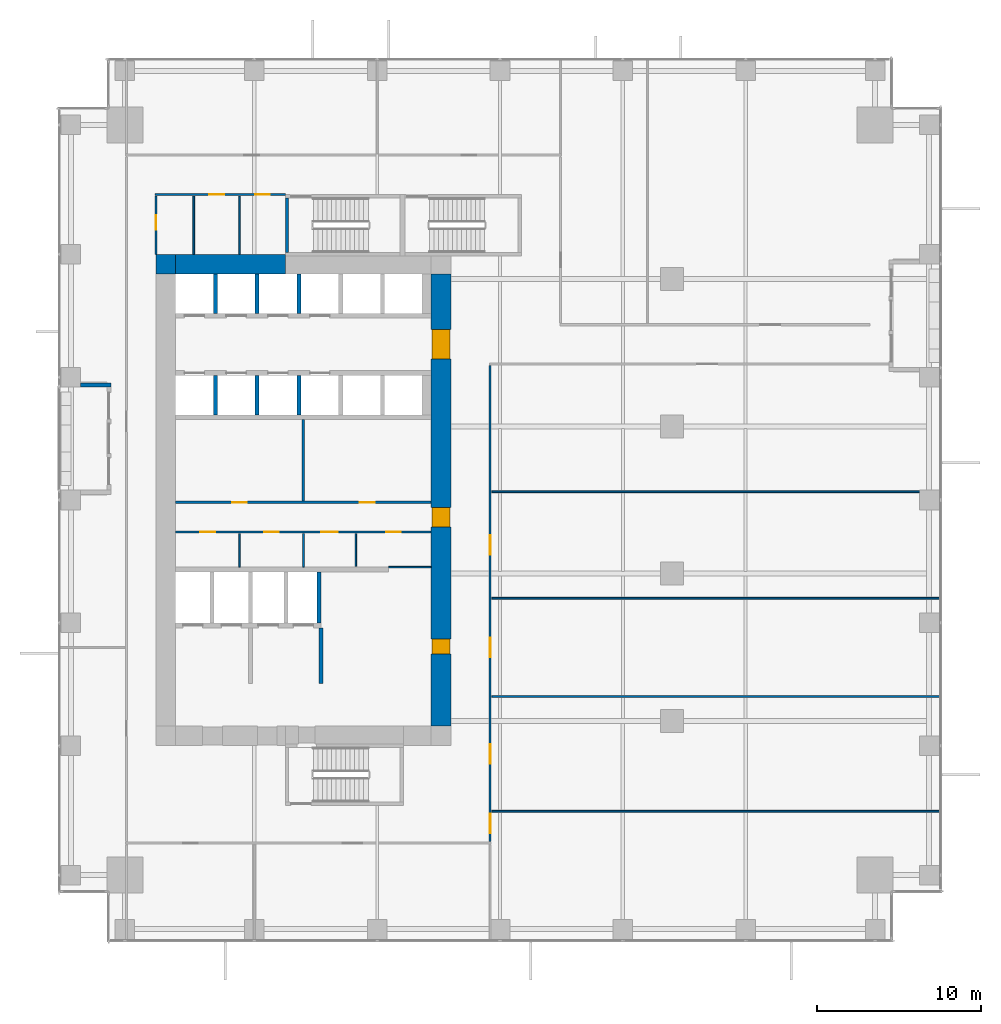
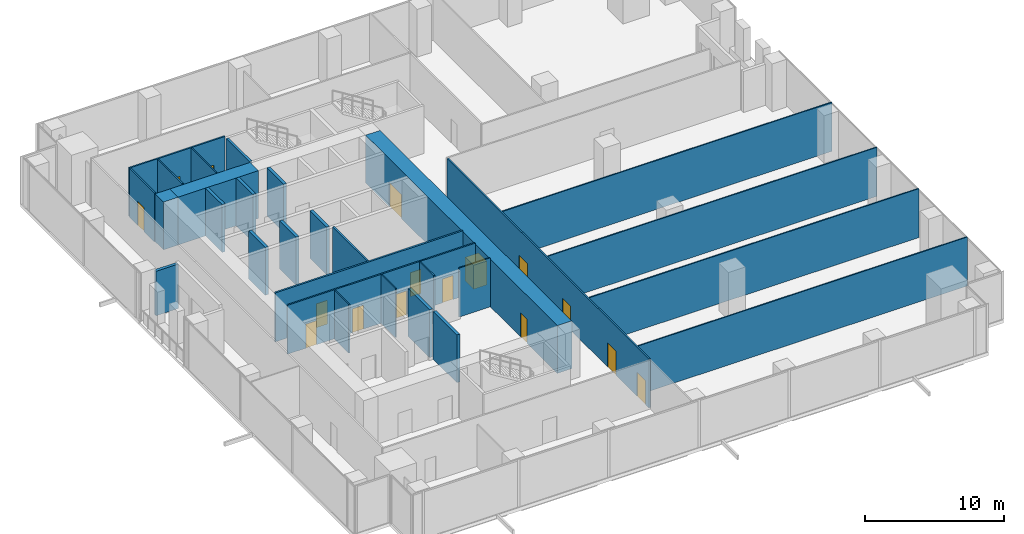
# One storey, part 27 of 32: 29 walls, 16 doors, 16 openings.
"""IFC4 building model written with IfcOpenShell, lengths in metres."""

from ifc_helpers import new_model, si_unit, direction, frame, frame_2d, origin, place, context, subcontext, project, spatial, rectangle, extrude, source, transform, mapped, material, layer, layer_set, type_object, element, fill, save


model = new_model("IFC4")

# Units and contexts
model_context = context("Model", 3, precision=1e-05, world=origin(), true_north=direction((0.0, 1.0)))
body_context = subcontext(model_context, "Body", "Model", "MODEL_VIEW")
ifc_project = project(units=[si_unit("LENGTHUNIT", "METRE"), si_unit("AREAUNIT", "SQUARE_METRE"), si_unit("VOLUMEUNIT", "CUBIC_METRE"), si_unit("PLANEANGLEUNIT", "RADIAN"), si_unit("MASSUNIT", "GRAM", prefix="KILO")], contexts=[model_context])

# Site, building, storey
site_placement = place(None, origin())
site = spatial("IfcSite", under=ifc_project, at=site_placement, CompositionType="ELEMENT")
building_placement = place(site_placement, origin())
building = spatial("IfcBuilding", under=site, at=building_placement, Name="Khomas Fold Tower", CompositionType="ELEMENT")
storey_placement = place(building_placement, frame((0.0, 0.0, 64.5)))
storey = spatial("IfcBuildingStorey", under=building, at=storey_placement, Name="L13", CompositionType="ELEMENT", Elevation=64.5)

# Walls
ifc_material_1 = material(Name="Concrete C70/85", Category="concrete")
ifc_layer_1 = layer(ifc_material_1, 1.199951171875)
ifc_layer_set_1 = layer_set([ifc_layer_1], Name="Concrete C70/85")
wall_type_1 = type_object("IfcWallType", Name="Core wall 1200", PredefinedType="SHEAR", material=ifc_layer_set_1)
shared_shape_1 = source(origin(), body_context, "Body", "SweptSolid", [
    extrude(rectangle(XDim=6.699951171875, YDim=1.199951171875, at=frame_2d((3.35009765625, 0.0))), origin(), (0.0, 0.0, 1.0), 4.199951171875),
])
wall_1_placement = place(storey_placement, frame((7.199951171875, 41.39990234375, 0.0), z_axis=(0.0, 0.0, 1.0), x_axis=(1.0, 0.0, 0.0)))
element("IfcWall", 1, at=wall_1_placement, inside=storey, type_object=wall_type_1, Name="Core wall CW-L-N-B2", PredefinedType="SHEAR", context=body_context, shape_type="MappedRepresentation", body=[
    mapped(shared_shape_1, transform((0.0, 0.0, 0.0))),
])
ifc_material_2 = material(Name="Concrete C70/85", Category="concrete")
ifc_layer_2 = layer(ifc_material_2, 1.199951171875)
ifc_layer_set_2 = layer_set([ifc_layer_2], Name="Concrete C70/85")
wall_type_2 = type_object("IfcWallType", Name="Core corner wall 1200", PredefinedType="SHEAR", material=ifc_layer_set_2)
shared_shape_2 = source(origin(), body_context, "Body", "SweptSolid", [
    extrude(rectangle(XDim=1.199951171875, YDim=1.199951171875, at=frame_2d((0.60009765625, 0.0))), origin(), (0.0, 0.0, 1.0), 4.199951171875),
])
wall_2_placement = place(storey_placement, frame((6.0, 41.39990234375, 0.0), z_axis=(0.0, 0.0, 1.0), x_axis=(1.0, 0.0, 0.0)))
element("IfcWall", 2, at=wall_2_placement, inside=storey, type_object=wall_type_2, Name="Core wall CW-L-NW-B2", PredefinedType="SHEAR", context=body_context, shape_type="MappedRepresentation", body=[
    mapped(shared_shape_2, transform((0.0, 0.0, 0.0))),
])

# Wall, openings, doors
shared_shape_3 = source(origin(), body_context, "Body", "SweptSolid", [
    extrude(rectangle(XDim=27.60009765625, YDim=1.199951171875, at=frame_2d((13.800048828125, 0.0))), origin(), (0.0, 0.0, 1.0), 4.199951171875),
])
wall_3_placement = place(storey_placement, frame((23.39990234375, 13.199951171875, 0.0), z_axis=(0.0, 0.0, 1.0), x_axis=(0.0, 1.0, 0.0)))
wall_3 = element("IfcWall", 3, at=wall_3_placement, inside=storey, type_object=wall_type_1, Name="Core wall CW-L-E-B2", PredefinedType="SHEAR", context=body_context, shape_type="MappedRepresentation", body=[
    mapped(shared_shape_3, transform((0.0, 0.0, 0.0))),
])
shared_shape_4 = source(origin(), body_context, "Body", "SweptSolid", [
    extrude(rectangle(XDim=1.800048828125, YDim=2.10009765625, at=frame_2d((0.89990234375, 1.050048828125))), frame((0.0, 0.60986328125, 0.0), z_axis=(0.0, -1.0, 0.0), x_axis=(1.0, 0.0, 0.0)), (0.0, 0.0, 1.0), 1.219970703125),
])
opening_1_placement = place(wall_3_placement, frame((22.39990234375, 0.0, 0.0)))
opening_1 = element("IfcOpeningElement", 4, at=opening_1_placement, cuts=wall_3, Name="Opening 0015", PredefinedType="OPENING", context=body_context, shape_type="MappedRepresentation", body=[
    mapped(shared_shape_4, transform((0.0, 0.0, 0.0))),
])
shared_shape_5 = source(origin(), body_context, "Body", "SweptSolid", [
    extrude(rectangle(XDim=1.199951171875, YDim=2.10009765625, at=frame_2d((0.60009765625, 1.050048828125))), frame((0.0, 0.60986328125, 0.0), z_axis=(0.0, -1.0, 0.0), x_axis=(1.0, 0.0, 0.0)), (0.0, 0.0, 1.0), 1.219970703125),
])
opening_2_placement = place(wall_3_placement, frame((12.14990234375, 0.0, 0.0)))
opening_2 = element("IfcOpeningElement", 5, at=opening_2_placement, cuts=wall_3, Name="Opening 0001", PredefinedType="OPENING", context=body_context, shape_type="MappedRepresentation", body=[
    mapped(shared_shape_5, transform((0.0, 0.0, 0.0))),
])
shared_shape_6 = source(origin(), body_context, "Body", "SweptSolid", [
    extrude(rectangle(XDim=0.89990234375, YDim=2.10009765625, at=frame_2d((0.449951171875, 1.050048828125))), frame((0.0, 0.60986328125, 0.0), z_axis=(0.0, -1.0, 0.0), x_axis=(1.0, 0.0, 0.0)), (0.0, 0.0, 1.0), 1.219970703125),
])
opening_3_placement = place(wall_3_placement, frame((4.39990234375, 0.0, 0.0)))
opening_3 = element("IfcOpeningElement", 6, at=opening_3_placement, cuts=wall_3, Name="Opening 0008", PredefinedType="OPENING", context=body_context, shape_type="MappedRepresentation", body=[
    mapped(shared_shape_6, transform((0.0, 0.0, 0.0))),
])
ifc_material_3 = material(Name="Timber door leaf", Category="wood")
door_type_1 = type_object("IfcDoorType", Name="Door 1200x2100 right-hand", OperationType="SINGLE_SWING_RIGHT", PredefinedType="DOOR", material=ifc_material_3)
shared_shape_7 = source(origin(), body_context, "Body", "SweptSolid", [
    extrude(rectangle(XDim=1.199951171875, YDim=2.10009765625, at=frame_2d((0.60009765625, 1.050048828125))), frame((0.0, 0.5498046875, 0.0), z_axis=(0.0, -1.0, 0.0), x_axis=(1.0, 0.0, 0.0)), (0.0, 0.0, 1.0), 1.099853515625),
])
door_1_placement = place(opening_2_placement, origin())
door_1 = element("IfcDoor", 7, at=door_1_placement, inside=storey, type_object=door_type_1, Name="Door", OperationType="SINGLE_SWING_RIGHT", OverallHeight=2.10009765625, OverallWidth=1.199951171875, PredefinedType="DOOR", context=body_context, shape_type="MappedRepresentation", body=[
    mapped(shared_shape_7, transform((0.0, 0.0, 0.0))),
])
fill(opening_2, door_1)
ifc_material_4 = material(Name="Timber door leaf", Category="wood")
door_type_2 = type_object("IfcDoorType", Name="Door 900x2100 right-hand", OperationType="SINGLE_SWING_RIGHT", PredefinedType="DOOR", material=ifc_material_4)
shared_shape_8 = source(origin(), body_context, "Body", "SweptSolid", [
    extrude(rectangle(XDim=0.89990234375, YDim=2.10009765625, at=frame_2d((0.449951171875, 1.050048828125))), frame((0.0, 0.5498046875, 0.0), z_axis=(0.0, -1.0, 0.0), x_axis=(1.0, 0.0, 0.0)), (0.0, 0.0, 1.0), 1.099853515625),
])
door_2_placement = place(opening_3_placement, origin())
door_2 = element("IfcDoor", 8, at=door_2_placement, inside=storey, type_object=door_type_2, Name="Door", OperationType="SINGLE_SWING_RIGHT", OverallHeight=2.10009765625, OverallWidth=0.89990234375, PredefinedType="DOOR", context=body_context, shape_type="MappedRepresentation", body=[
    mapped(shared_shape_8, transform((0.0, 0.0, 0.0))),
])
fill(opening_3, door_2)
ifc_material_5 = material(Name="Steel door leaf", Category="steel")
door_type_3 = type_object("IfcDoorType", Name="Lobby door 1800x2100", OperationType="DOUBLE_DOOR_SINGLE_SWING", PredefinedType="DOOR", material=ifc_material_5)
shared_shape_9 = source(origin(), body_context, "Body", "SweptSolid", [
    extrude(rectangle(XDim=1.800048828125, YDim=2.10009765625, at=frame_2d((0.89990234375, 1.050048828125))), frame((0.0, 0.5498046875, 0.0), z_axis=(0.0, -1.0, 0.0), x_axis=(1.0, 0.0, 0.0)), (0.0, 0.0, 1.0), 1.099853515625),
])
door_3_placement = place(opening_1_placement, origin())
door_3 = element("IfcDoor", 9, at=door_3_placement, inside=storey, type_object=door_type_3, Name="Lobby door", OperationType="DOUBLE_DOOR_SINGLE_SWING", OverallHeight=2.10009765625, OverallWidth=1.800048828125, PredefinedType="DOOR", context=body_context, shape_type="MappedRepresentation", body=[
    mapped(shared_shape_9, transform((0.0, 0.0, 0.0))),
])
fill(opening_1, door_3)

# Walls
ifc_material_6 = material(Name="Concrete C50/60", Category="concrete")
ifc_layer_3 = layer(ifc_material_6, 0.199951171875)
ifc_layer_set_3 = layer_set([ifc_layer_3], Name="Concrete C50/60")
wall_type_3 = type_object("IfcWallType", Name="Stair wall 200", PredefinedType="SHEAR", material=ifc_layer_set_3)
shared_shape_10 = source(origin(), body_context, "Body", "SweptSolid", [
    extrude(rectangle(XDim=3.349853515625, YDim=0.199951171875, at=frame_2d((1.6748046875, 0.0))), origin(), (0.0, 0.0, 1.0), 4.199951171875),
])
wall_4_placement = place(storey_placement, frame((14.0, 42.10009765625, 0.0), z_axis=(0.0, 0.0, 1.0), x_axis=(0.0, 1.0, 0.0)))
element("IfcWall", 10, at=wall_4_placement, inside=storey, type_object=wall_type_3, Name="Stair wall SW-ST1-W", PredefinedType="SHEAR", context=body_context, shape_type="MappedRepresentation", body=[
    mapped(shared_shape_10, transform((0.0, 0.0, 0.0))),
])
ifc_material_7 = material(Name="Concrete C50/60", Category="concrete")
ifc_layer_4 = layer(ifc_material_7, 0.25)
ifc_layer_set_4 = layer_set([ifc_layer_4], Name="Concrete C50/60")
wall_type_4 = type_object("IfcWallType", Name="Shaft wall 250", PredefinedType="STANDARD", material=ifc_layer_set_4)
shared_shape_11 = source(origin(), body_context, "Body", "SweptSolid", [
    extrude(rectangle(XDim=3.10009765625, YDim=0.25, at=frame_2d((1.550048828125, 0.0))), origin(), (0.0, 0.0, 1.0), 4.199951171875),
])
wall_5_placement = place(storey_placement, frame((15.949951171875, 19.5, 0.0), z_axis=(0.0, 0.0, 1.0), x_axis=(0.0, 1.0, 0.0)))
element("IfcWall", 11, at=wall_5_placement, inside=storey, type_object=wall_type_4, Name="Core wall SW-FS-PE", PredefinedType="STANDARD", context=body_context, shape_type="MappedRepresentation", body=[
    mapped(shared_shape_11, transform((0.0, 0.0, 0.0))),
])
shared_shape_12 = source(origin(), body_context, "Body", "SweptSolid", [
    extrude(rectangle(XDim=2.400146484375, YDim=0.25, at=frame_2d((1.2001953125, 0.0))), origin(), (0.0, 0.0, 1.0), 4.199951171875),
])
for number, where, z_axis, x_axis, name in (
    (12, (9.625, 38.39990234375, 0.0), (0.0, 0.0, 1.0), (0.0, 1.0, 0.0), "Core wall SW-LRN-P1"),
    (13, (12.175048828125, 38.39990234375, 0.0), (0.0, 0.0, 1.0), (0.0, 1.0, 0.0), "Core wall SW-LRN-P2"),
    (14, (14.72509765625, 38.39990234375, 0.0), (0.0, 0.0, 1.0), (0.0, 1.0, 0.0), "Core wall SW-LRN-P3"),
    (15, (9.625, 32.199951171875, 0.0), (0.0, 0.0, 1.0), (0.0, 1.0, 0.0), "Core wall SW-LRS-P1"),
    (16, (12.175048828125, 32.199951171875, 0.0), (0.0, 0.0, 1.0), (0.0, 1.0, 0.0), "Core wall SW-LRS-P2"),
    (17, (14.72509765625, 32.199951171875, 0.0), (0.0, 0.0, 1.0), (0.0, 1.0, 0.0), "Core wall SW-LRS-P3"),
):
    element("IfcWall", number, at=place(storey_placement, frame(where, z_axis=z_axis, x_axis=x_axis)), inside=storey, type_object=wall_type_4, Name=name, PredefinedType="STANDARD", context=body_context, shape_type="MappedRepresentation", body=[
        mapped(shared_shape_12, transform((0.0, 0.0, 0.0))),
    ])
ifc_material_8 = material(Name="Concrete C50/60", Category="concrete")
ifc_layer_5 = layer(ifc_material_8, 0.25)
ifc_layer_set_5 = layer_set([ifc_layer_5], Name="Concrete C50/60")
wall_type_5 = type_object("IfcWallType", Name="Lobby wall 250", PredefinedType="STANDARD", material=ifc_layer_set_5)
shared_shape_13 = source(origin(), body_context, "Body", "SweptSolid", [
    extrude(rectangle(XDim=3.39990234375, YDim=0.25, at=frame_2d((1.699951171875, 0.0))), origin(), (0.0, 0.0, 1.0), 4.199951171875),
])
wall_6_placement = place(storey_placement, frame((16.074951171875, 15.800048828125, 0.0), z_axis=(0.0, 0.0, 1.0), x_axis=(0.0, 1.0, 0.0)))
element("IfcWall", 18, at=wall_6_placement, inside=storey, type_object=wall_type_5, Name="Core wall SW-FS-LOB-E", PredefinedType="STANDARD", context=body_context, shape_type="MappedRepresentation", body=[
    mapped(shared_shape_13, transform((0.0, 0.0, 0.0))),
])
ifc_material_9 = material(Name="Natural stone", Category="masonry")
ifc_layer_6 = layer(ifc_material_9, 0.0400390625)
ifc_material_10 = material(Name="Mineral wool insulation", Category="insulation")
ifc_layer_7 = layer(ifc_material_10, 0.10009765625)
ifc_material_11 = material(Name="Masonry", Category="masonry")
ifc_layer_8 = layer(ifc_material_11, 0.110107421875)
ifc_layer_set_6 = layer_set([ifc_layer_6, ifc_layer_7, ifc_layer_8], Name="Stone-faced insulated masonry")
wall_type_6 = type_object("IfcWallType", Name="BL-Balcony wall", PredefinedType="SOLIDWALL", material=ifc_layer_set_6)
shared_shape_14 = source(origin(), body_context, "Body", "SweptSolid", [
    extrude(rectangle(XDim=1.85009765625, YDim=0.25, at=frame_2d((0.925048828125, 0.0))), origin(), (0.0, 0.0, 1.0), 3.89990234375),
])
wall_7_placement = place(storey_placement, frame((1.39990234375, 34.02490234375, 0.0), z_axis=(0.0, 0.0, 1.0), x_axis=(1.0, 0.0, 0.0)))
element("IfcWall", 19, at=wall_7_placement, inside=storey, type_object=wall_type_6, Name="Balcony return wall BAL-L13-W3-hi", PredefinedType="SOLIDWALL", context=body_context, shape_type="MappedRepresentation", body=[
    mapped(shared_shape_14, transform((0.0, 0.0, 0.0))),
])
ifc_material_12 = material(Name="Plasterboard partition")
ifc_layer_9 = layer(ifc_material_12, 0.10009765625)
ifc_layer_set_7 = layer_set([ifc_layer_9], Name="Plasterboard partition")
wall_type_7 = type_object("IfcWallType", Name="Partition PW1 100", PredefinedType="PARTITIONING", material=ifc_layer_set_7)
shared_shape_15 = source(origin(), body_context, "Body", "SweptSolid", [
    extrude(rectangle(XDim=27.35009765625, YDim=0.10009765625, at=frame_2d((13.675048828125, 0.0))), origin(), (0.0, 0.0, 1.0), 4.300048828125),
])
for number, where, z_axis, x_axis, name in (
    (20, (26.5, 8.0, 0.0), (0.0, 0.0, 1.0), (1.0, 0.0, 0.0), "Partition"),
    (21, (26.5, 15.0, 0.0), (0.0, 0.0, 1.0), (1.0, 0.0, 0.0), "Partition"),
    (22, (26.5, 21.0, 0.0), (0.0, 0.0, 1.0), (1.0, 0.0, 0.0), "Partition"),
    (23, (26.5, 27.5, 0.0), (0.0, 0.0, 1.0), (1.0, 0.0, 0.0), "Partition"),
):
    element("IfcWall", number, at=place(storey_placement, frame(where, z_axis=z_axis, x_axis=x_axis)), inside=storey, type_object=wall_type_7, Name=name, PredefinedType="PARTITIONING", context=body_context, shape_type="MappedRepresentation", body=[
        mapped(shared_shape_15, transform((0.0, 0.0, 0.0))),
    ])
shared_shape_16 = source(origin(), body_context, "Body", "SweptSolid", [
    extrude(rectangle(XDim=3.550048828125, YDim=0.10009765625, at=frame_2d((1.77490234375, 0.0))), origin(), (0.0, 0.0, 1.0), 4.300048828125),
])
for number, where, z_axis, x_axis, name in (
    (24, (8.300048828125, 42.0, 0.0), (0.0, 0.0, 1.0), (0.0, 1.0, 0.0), "Partition"),
    (25, (11.10009765625, 42.0, 0.0), (0.0, 0.0, 1.0), (0.0, 1.0, 0.0), "Partition"),
):
    element("IfcWall", number, at=place(storey_placement, frame(where, z_axis=z_axis, x_axis=x_axis)), inside=storey, type_object=wall_type_7, Name=name, PredefinedType="PARTITIONING", context=body_context, shape_type="MappedRepresentation", body=[
        mapped(shared_shape_16, transform((0.0, 0.0, 0.0))),
    ])

# Wall, openings, doors
ifc_material_13 = material(Name="Plasterboard fire partition")
ifc_layer_10 = layer(ifc_material_13, 0.14990234375)
ifc_layer_set_8 = layer_set([ifc_layer_10], Name="Plasterboard fire partition")
wall_type_8 = type_object("IfcWallType", Name="Plant room wall PW3 150", PredefinedType="PARTITIONING", material=ifc_layer_set_8)
shared_shape_17 = source(origin(), body_context, "Body", "SweptSolid", [
    extrude(rectangle(XDim=15.60009765625, YDim=0.14990234375, at=frame_2d((7.800048828125, 0.0))), origin(), (0.0, 0.0, 1.0), 4.300048828125),
])
wall_8_placement = place(storey_placement, frame((7.199951171875, 26.85009765625, 0.0), z_axis=(0.0, 0.0, 1.0), x_axis=(1.0, 0.0, 0.0)))
wall_8 = element("IfcWall", 26, at=wall_8_placement, inside=storey, type_object=wall_type_8, Name="Plant room wall", PredefinedType="PARTITIONING", context=body_context, shape_type="MappedRepresentation", body=[
    mapped(shared_shape_17, transform((0.0, 0.0, 0.0))),
])
shared_shape_18 = source(origin(), body_context, "Body", "SweptSolid", [
    extrude(rectangle(XDim=0.89990234375, YDim=2.10009765625, at=frame_2d((0.449951171875, 1.050048828125))), frame((0.0, 0.0849609375, 0.0), z_axis=(0.0, -1.0, 0.0), x_axis=(1.0, 0.0, 0.0)), (0.0, 0.0, 1.0), 0.169921875),
])
opening_4_placement = place(wall_8_placement, frame((3.449951171875, 0.0, 0.0)))
opening_4 = element("IfcOpeningElement", 27, at=opening_4_placement, cuts=wall_8, Name="Opening 0003", PredefinedType="OPENING", context=body_context, shape_type="MappedRepresentation", body=[
    mapped(shared_shape_18, transform((0.0, 0.0, 0.0))),
])
opening_5_placement = place(wall_8_placement, frame((11.25, 0.0, 0.0)))
opening_5 = element("IfcOpeningElement", 28, at=opening_5_placement, cuts=wall_8, Name="Opening 0002", PredefinedType="OPENING", context=body_context, shape_type="MappedRepresentation", body=[
    mapped(shared_shape_18, transform((0.0, 0.0, 0.0))),
])
ifc_material_14 = material(Name="Steel door leaf", Category="steel")
door_type_4 = type_object("IfcDoorType", Name="Plant room door 900x2100 right-hand", OperationType="SINGLE_SWING_RIGHT", PredefinedType="DOOR", material=ifc_material_14)
shared_shape_19 = source(origin(), body_context, "Body", "SweptSolid", [
    extrude(rectangle(XDim=0.89990234375, YDim=2.10009765625, at=frame_2d((0.449951171875, 1.050048828125))), frame((0.0, 0.02490234375, 0.0), z_axis=(0.0, -1.0, 0.0), x_axis=(1.0, 0.0, 0.0)), (0.0, 0.0, 1.0), 0.050048828125),
])
door_4_placement = place(opening_4_placement, origin())
door_4 = element("IfcDoor", 29, at=door_4_placement, inside=storey, type_object=door_type_4, Name="Plant room door", OperationType="SINGLE_SWING_RIGHT", OverallHeight=2.10009765625, OverallWidth=0.89990234375, PredefinedType="DOOR", context=body_context, shape_type="MappedRepresentation", body=[
    mapped(shared_shape_19, transform((0.0, 0.0, 0.0))),
])
fill(opening_4, door_4)
ifc_material_15 = material(Name="Steel door leaf", Category="steel")
door_type_5 = type_object("IfcDoorType", Name="Plant room door 900x2100 left-hand", OperationType="SINGLE_SWING_LEFT", PredefinedType="DOOR", material=ifc_material_15)
door_5_placement = place(opening_5_placement, origin())
door_5 = element("IfcDoor", 30, at=door_5_placement, inside=storey, type_object=door_type_5, Name="Plant room door", OperationType="SINGLE_SWING_LEFT", OverallHeight=2.10009765625, OverallWidth=0.89990234375, PredefinedType="DOOR", context=body_context, shape_type="MappedRepresentation", body=[
    mapped(shared_shape_19, transform((0.0, 0.0, 0.0))),
])
fill(opening_5, door_5)

# Wall, opening, door
ifc_material_16 = material(Name="Plasterboard partition")
ifc_layer_11 = layer(ifc_material_16, 0.125)
ifc_layer_set_9 = layer_set([ifc_layer_11], Name="Plasterboard partition")
wall_type_9 = type_object("IfcWallType", Name="Partition PW2 125", PredefinedType="PARTITIONING", material=ifc_layer_set_9)
shared_shape_20 = source(origin(), body_context, "Body", "SweptSolid", [
    extrude(rectangle(XDim=3.550048828125, YDim=0.125, at=frame_2d((1.77490234375, 0.0))), origin(), (0.0, 0.0, 1.0), 4.300048828125),
])
wall_9_placement = place(storey_placement, frame((6.0, 42.0, 0.0), z_axis=(0.0, 0.0, 1.0), x_axis=(0.0, 1.0, 0.0)))
wall_9 = element("IfcWall", 31, at=wall_9_placement, inside=storey, type_object=wall_type_9, Name="Partition", PredefinedType="PARTITIONING", context=body_context, shape_type="MappedRepresentation", body=[
    mapped(shared_shape_20, transform((0.0, 0.0, 0.0))),
])
shared_shape_21 = source(origin(), body_context, "Body", "SweptSolid", [
    extrude(rectangle(XDim=0.89990234375, YDim=2.10009765625, at=frame_2d((0.449951171875, 1.050048828125))), frame((0.0, 0.072509765625, 0.0), z_axis=(0.0, -1.0, 0.0), x_axis=(1.0, 0.0, 0.0)), (0.0, 0.0, 1.0), 0.14501953125),
])
opening_6_placement = place(wall_9_placement, frame((1.5, 0.0, 0.0)))
opening_6 = element("IfcOpeningElement", 32, at=opening_6_placement, cuts=wall_9, Name="Opening 0008", PredefinedType="OPENING", context=body_context, shape_type="MappedRepresentation", body=[
    mapped(shared_shape_21, transform((0.0, 0.0, 0.0))),
])
door_6_placement = place(opening_6_placement, origin())
door_6 = element("IfcDoor", 33, at=door_6_placement, inside=storey, type_object=door_type_2, Name="Door", OperationType="SINGLE_SWING_RIGHT", OverallHeight=2.10009765625, OverallWidth=0.89990234375, PredefinedType="DOOR", context=body_context, shape_type="MappedRepresentation", body=[
    mapped(shared_shape_19, transform((0.0, 0.0, 0.0))),
])
fill(opening_6, door_6)

# Wall, openings, doors
shared_shape_22 = source(origin(), body_context, "Body", "SweptSolid", [
    extrude(rectangle(XDim=7.949951171875, YDim=0.125, at=frame_2d((3.97509765625, 0.0))), origin(), (0.0, 0.0, 1.0), 4.300048828125),
])
wall_10_placement = place(storey_placement, frame((5.949951171875, 45.64990234375, 0.0), z_axis=(0.0, 0.0, 1.0), x_axis=(1.0, 0.0, 0.0)))
wall_10 = element("IfcWall", 34, at=wall_10_placement, inside=storey, type_object=wall_type_9, Name="Partition", PredefinedType="PARTITIONING", context=body_context, shape_type="MappedRepresentation", body=[
    mapped(shared_shape_22, transform((0.0, 0.0, 0.0))),
])
opening_7_placement = place(wall_10_placement, frame((3.300048828125, 0.0, 0.0)))
opening_7 = element("IfcOpeningElement", 35, at=opening_7_placement, cuts=wall_10, Name="Opening 0007", PredefinedType="OPENING", context=body_context, shape_type="MappedRepresentation", body=[
    mapped(shared_shape_21, transform((0.0, 0.0, 0.0))),
])
opening_8_placement = place(wall_10_placement, frame((6.10009765625, 0.0, 0.0)))
opening_8 = element("IfcOpeningElement", 36, at=opening_8_placement, cuts=wall_10, Name="Opening 0008", PredefinedType="OPENING", context=body_context, shape_type="MappedRepresentation", body=[
    mapped(shared_shape_21, transform((0.0, 0.0, 0.0))),
])
ifc_material_17 = material(Name="Timber door leaf", Category="wood")
door_type_6 = type_object("IfcDoorType", Name="Door 900x2100 left-hand", OperationType="SINGLE_SWING_LEFT", PredefinedType="DOOR", material=ifc_material_17)
door_7_placement = place(opening_7_placement, origin())
door_7 = element("IfcDoor", 37, at=door_7_placement, inside=storey, type_object=door_type_6, Name="Door", OperationType="SINGLE_SWING_LEFT", OverallHeight=2.10009765625, OverallWidth=0.89990234375, PredefinedType="DOOR", context=body_context, shape_type="MappedRepresentation", body=[
    mapped(shared_shape_19, transform((0.0, 0.0, 0.0))),
])
fill(opening_7, door_7)
door_8_placement = place(opening_8_placement, origin())
door_8 = element("IfcDoor", 38, at=door_8_placement, inside=storey, type_object=door_type_2, Name="Door", OperationType="SINGLE_SWING_RIGHT", OverallHeight=2.10009765625, OverallWidth=0.89990234375, PredefinedType="DOOR", context=body_context, shape_type="MappedRepresentation", body=[
    mapped(shared_shape_19, transform((0.0, 0.0, 0.0))),
])
fill(opening_8, door_8)

# Wall
shared_shape_23 = source(origin(), body_context, "Body", "SweptSolid", [
    extrude(rectangle(XDim=2.60009765625, YDim=0.10009765625, at=frame_2d((1.300048828125, 0.0))), origin(), (0.0, 0.0, 1.0), 4.300048828125),
])
wall_11_placement = place(storey_placement, frame((20.199951171875, 22.89990234375, 0.0), z_axis=(0.0, 0.0, 1.0), x_axis=(1.0, 0.0, 0.0)))
element("IfcWall", 39, at=wall_11_placement, inside=storey, type_object=wall_type_7, Name="Partition", PredefinedType="PARTITIONING", context=body_context, shape_type="MappedRepresentation", body=[
    mapped(shared_shape_23, transform((0.0, 0.0, 0.0))),
])

# Wall, openings, doors
shared_shape_24 = source(origin(), body_context, "Body", "SweptSolid", [
    extrude(rectangle(XDim=15.60009765625, YDim=0.125, at=frame_2d((7.800048828125, 0.0))), origin(), (0.0, 0.0, 1.0), 4.300048828125),
])
wall_12_placement = place(storey_placement, frame((7.199951171875, 25.050048828125, 0.0), z_axis=(0.0, 0.0, 1.0), x_axis=(1.0, 0.0, 0.0)))
wall_12 = element("IfcWall", 40, at=wall_12_placement, inside=storey, type_object=wall_type_9, Name="Partition", PredefinedType="PARTITIONING", context=body_context, shape_type="MappedRepresentation", body=[
    mapped(shared_shape_24, transform((0.0, 0.0, 0.0))),
])
opening_9_placement = place(wall_12_placement, frame((1.5, 0.0, 0.0)))
opening_9 = element("IfcOpeningElement", 41, at=opening_9_placement, cuts=wall_12, Name="Opening 0005", PredefinedType="OPENING", context=body_context, shape_type="MappedRepresentation", body=[
    mapped(shared_shape_21, transform((0.0, 0.0, 0.0))),
])
opening_10_placement = place(wall_12_placement, frame((5.39990234375, 0.0, 0.0)))
opening_10 = element("IfcOpeningElement", 42, at=opening_10_placement, cuts=wall_12, Name="Opening 0004", PredefinedType="OPENING", context=body_context, shape_type="MappedRepresentation", body=[
    mapped(shared_shape_21, transform((0.0, 0.0, 0.0))),
])
shared_shape_25 = source(origin(), body_context, "Body", "SweptSolid", [
    extrude(rectangle(XDim=1.0, YDim=2.10009765625, at=frame_2d((0.5, 1.050048828125))), frame((0.0, 0.072509765625, 0.0), z_axis=(0.0, -1.0, 0.0), x_axis=(1.0, 0.0, 0.0)), (0.0, 0.0, 1.0), 0.14501953125),
])
opening_11_placement = place(wall_12_placement, frame((8.89990234375, 0.0, 0.0)))
opening_11 = element("IfcOpeningElement", 43, at=opening_11_placement, cuts=wall_12, Name="Opening 0014", PredefinedType="OPENING", context=body_context, shape_type="MappedRepresentation", body=[
    mapped(shared_shape_25, transform((0.0, 0.0, 0.0))),
])
opening_12_placement = place(wall_12_placement, frame((12.85009765625, 0.0, 0.0)))
opening_12 = element("IfcOpeningElement", 44, at=opening_12_placement, cuts=wall_12, Name="Opening 0008", PredefinedType="OPENING", context=body_context, shape_type="MappedRepresentation", body=[
    mapped(shared_shape_21, transform((0.0, 0.0, 0.0))),
])
ifc_material_18 = material(Name="Timber door leaf", Category="wood")
door_type_7 = type_object("IfcDoorType", Name="WC door 900x2100 left-hand", OperationType="SINGLE_SWING_LEFT", PredefinedType="DOOR", material=ifc_material_18)
door_9_placement = place(opening_9_placement, origin())
door_9 = element("IfcDoor", 45, at=door_9_placement, inside=storey, type_object=door_type_7, Name="WC door", OperationType="SINGLE_SWING_LEFT", OverallHeight=2.10009765625, OverallWidth=0.89990234375, PredefinedType="DOOR", context=body_context, shape_type="MappedRepresentation", body=[
    mapped(shared_shape_19, transform((0.0, 0.0, 0.0))),
])
fill(opening_9, door_9)
ifc_material_19 = material(Name="Timber door leaf", Category="wood")
door_type_8 = type_object("IfcDoorType", Name="WC door 900x2100 right-hand", OperationType="SINGLE_SWING_RIGHT", PredefinedType="DOOR", material=ifc_material_19)
door_10_placement = place(opening_10_placement, origin())
door_10 = element("IfcDoor", 46, at=door_10_placement, inside=storey, type_object=door_type_8, Name="WC door", OperationType="SINGLE_SWING_RIGHT", OverallHeight=2.10009765625, OverallWidth=0.89990234375, PredefinedType="DOOR", context=body_context, shape_type="MappedRepresentation", body=[
    mapped(shared_shape_19, transform((0.0, 0.0, 0.0))),
])
fill(opening_10, door_10)
door_11_placement = place(opening_12_placement, origin())
door_11 = element("IfcDoor", 47, at=door_11_placement, inside=storey, type_object=door_type_2, Name="Door", OperationType="SINGLE_SWING_RIGHT", OverallHeight=2.10009765625, OverallWidth=0.89990234375, PredefinedType="DOOR", context=body_context, shape_type="MappedRepresentation", body=[
    mapped(shared_shape_19, transform((0.0, 0.0, 0.0))),
])
fill(opening_12, door_11)
ifc_material_20 = material(Name="Timber door leaf", Category="wood")
door_type_9 = type_object("IfcDoorType", Name="WC door 1000x2100 left-hand", OperationType="SINGLE_SWING_LEFT", PredefinedType="DOOR", material=ifc_material_20)
shared_shape_26 = source(origin(), body_context, "Body", "SweptSolid", [
    extrude(rectangle(XDim=1.0, YDim=2.10009765625, at=frame_2d((0.5, 1.050048828125))), frame((0.0, 0.02490234375, 0.0), z_axis=(0.0, -1.0, 0.0), x_axis=(1.0, 0.0, 0.0)), (0.0, 0.0, 1.0), 0.050048828125),
])
door_12_placement = place(opening_11_placement, origin())
door_12 = element("IfcDoor", 48, at=door_12_placement, inside=storey, type_object=door_type_9, Name="WC door", OperationType="SINGLE_SWING_LEFT", OverallHeight=2.10009765625, OverallWidth=1.0, PredefinedType="DOOR", context=body_context, shape_type="MappedRepresentation", body=[
    mapped(shared_shape_26, transform((0.0, 0.0, 0.0))),
])
fill(opening_11, door_12)

shared_shape_27 = source(origin(), body_context, "Body", "SweptSolid", [
    extrude(rectangle(XDim=29.050048828125, YDim=0.125, at=frame_2d((14.52490234375, 0.0))), origin(), (0.0, 0.0, 1.0), 4.300048828125),
])
wall_13_placement = place(storey_placement, frame((26.39990234375, 6.14990234375, 0.0), z_axis=(0.0, 0.0, 1.0), x_axis=(0.0, 1.0, 0.0)))
wall_13 = element("IfcWall", 49, at=wall_13_placement, inside=storey, type_object=wall_type_9, Name="Partition", PredefinedType="PARTITIONING", context=body_context, shape_type="MappedRepresentation", body=[
    mapped(shared_shape_27, transform((0.0, 0.0, 0.0))),
])
shared_shape_28 = source(origin(), body_context, "Body", "SweptSolid", [
    extrude(rectangle(XDim=1.199951171875, YDim=2.10009765625, at=frame_2d((0.60009765625, 1.050048828125))), frame((0.0, 0.072509765625, 0.0), z_axis=(0.0, -1.0, 0.0), x_axis=(1.0, 0.0, 0.0)), (0.0, 0.0, 1.0), 0.14501953125),
])
opening_13_placement = place(wall_13_placement, frame((0.5, 0.0, 0.0)))
opening_13 = element("IfcOpeningElement", 50, at=opening_13_placement, cuts=wall_13, Name="Opening 0001", PredefinedType="OPENING", context=body_context, shape_type="MappedRepresentation", body=[
    mapped(shared_shape_28, transform((0.0, 0.0, 0.0))),
])
opening_14_placement = place(wall_13_placement, frame((4.75, 0.0, 0.0)))
opening_14 = element("IfcOpeningElement", 51, at=opening_14_placement, cuts=wall_13, Name="Opening 0001", PredefinedType="OPENING", context=body_context, shape_type="MappedRepresentation", body=[
    mapped(shared_shape_28, transform((0.0, 0.0, 0.0))),
])
opening_15_placement = place(wall_13_placement, frame((11.25, 0.0, 0.0)))
opening_15 = element("IfcOpeningElement", 52, at=opening_15_placement, cuts=wall_13, Name="Opening 0013", PredefinedType="OPENING", context=body_context, shape_type="MappedRepresentation", body=[
    mapped(shared_shape_28, transform((0.0, 0.0, 0.0))),
])
opening_16_placement = place(wall_13_placement, frame((17.5, 0.0, 0.0)))
opening_16 = element("IfcOpeningElement", 53, at=opening_16_placement, cuts=wall_13, Name="Opening 0001", PredefinedType="OPENING", context=body_context, shape_type="MappedRepresentation", body=[
    mapped(shared_shape_28, transform((0.0, 0.0, 0.0))),
])
shared_shape_29 = source(origin(), body_context, "Body", "SweptSolid", [
    extrude(rectangle(XDim=1.199951171875, YDim=2.10009765625, at=frame_2d((0.60009765625, 1.050048828125))), frame((0.0, 0.02490234375, 0.0), z_axis=(0.0, -1.0, 0.0), x_axis=(1.0, 0.0, 0.0)), (0.0, 0.0, 1.0), 0.050048828125),
])
door_13_placement = place(opening_13_placement, origin())
door_13 = element("IfcDoor", 54, at=door_13_placement, inside=storey, type_object=door_type_1, Name="Door", OperationType="SINGLE_SWING_RIGHT", OverallHeight=2.10009765625, OverallWidth=1.199951171875, PredefinedType="DOOR", context=body_context, shape_type="MappedRepresentation", body=[
    mapped(shared_shape_29, transform((0.0, 0.0, 0.0))),
])
fill(opening_13, door_13)
door_14_placement = place(opening_14_placement, origin())
door_14 = element("IfcDoor", 55, at=door_14_placement, inside=storey, type_object=door_type_1, Name="Door", OperationType="SINGLE_SWING_RIGHT", OverallHeight=2.10009765625, OverallWidth=1.199951171875, PredefinedType="DOOR", context=body_context, shape_type="MappedRepresentation", body=[
    mapped(shared_shape_29, transform((0.0, 0.0, 0.0))),
])
fill(opening_14, door_14)
ifc_material_21 = material(Name="Timber door leaf", Category="wood")
door_type_10 = type_object("IfcDoorType", Name="Door 1200x2100 left-hand", OperationType="SINGLE_SWING_LEFT", PredefinedType="DOOR", material=ifc_material_21)
door_15_placement = place(opening_15_placement, origin())
door_15 = element("IfcDoor", 56, at=door_15_placement, inside=storey, type_object=door_type_10, Name="Door", OperationType="SINGLE_SWING_LEFT", OverallHeight=2.10009765625, OverallWidth=1.199951171875, PredefinedType="DOOR", context=body_context, shape_type="MappedRepresentation", body=[
    mapped(shared_shape_29, transform((0.0, 0.0, 0.0))),
])
fill(opening_15, door_15)
door_16_placement = place(opening_16_placement, origin())
door_16 = element("IfcDoor", 57, at=door_16_placement, inside=storey, type_object=door_type_1, Name="Door", OperationType="SINGLE_SWING_RIGHT", OverallHeight=2.10009765625, OverallWidth=1.199951171875, PredefinedType="DOOR", context=body_context, shape_type="MappedRepresentation", body=[
    mapped(shared_shape_29, transform((0.0, 0.0, 0.0))),
])
fill(opening_16, door_16)

# Walls
shared_shape_30 = source(origin(), body_context, "Body", "SweptSolid", [
    extrude(rectangle(XDim=2.050048828125, YDim=0.10009765625, at=frame_2d((1.02490234375, 0.0))), origin(), (0.0, 0.0, 1.0), 4.300048828125),
])
for number, where, z_axis, x_axis, name in (
    (58, (11.10009765625, 22.89990234375, 0.0), (0.0, 0.0, 1.0), (0.0, 1.0, 0.0), "Partition"),
    (59, (15.0, 22.89990234375, 0.0), (0.0, 0.0, 1.0), (0.0, 1.0, 0.0), "Partition"),
):
    element("IfcWall", number, at=place(storey_placement, frame(where, z_axis=z_axis, x_axis=x_axis)), inside=storey, type_object=wall_type_7, Name=name, PredefinedType="PARTITIONING", context=body_context, shape_type="MappedRepresentation", body=[
        mapped(shared_shape_30, transform((0.0, 0.0, 0.0))),
    ])
shared_shape_31 = source(origin(), body_context, "Body", "SweptSolid", [
    extrude(rectangle(XDim=2.0, YDim=0.10009765625, at=frame_2d((1.0, 0.0))), origin(), (0.0, 0.0, 1.0), 4.300048828125),
])
wall_14_placement = place(storey_placement, frame((18.199951171875, 22.949951171875, 0.0), z_axis=(0.0, 0.0, 1.0), x_axis=(0.0, 1.0, 0.0)))
element("IfcWall", 60, at=wall_14_placement, inside=storey, type_object=wall_type_7, Name="Partition", PredefinedType="PARTITIONING", context=body_context, shape_type="MappedRepresentation", body=[
    mapped(shared_shape_31, transform((0.0, 0.0, 0.0))),
])
shared_shape_32 = source(origin(), body_context, "Body", "SweptSolid", [
    extrude(rectangle(XDim=4.949951171875, YDim=0.14990234375, at=frame_2d((2.47509765625, 0.0))), origin(), (0.0, 0.0, 1.0), 4.300048828125),
])
wall_15_placement = place(storey_placement, frame((15.0, 26.949951171875, 0.0), z_axis=(0.0, 0.0, 1.0), x_axis=(0.0, 1.0, 0.0)))
element("IfcWall", 61, at=wall_15_placement, inside=storey, type_object=wall_type_8, Name="Plant room wall", PredefinedType="PARTITIONING", context=body_context, shape_type="MappedRepresentation", body=[
    mapped(shared_shape_32, transform((0.0, 0.0, 0.0))),
])

save(model, "model.ifc")
